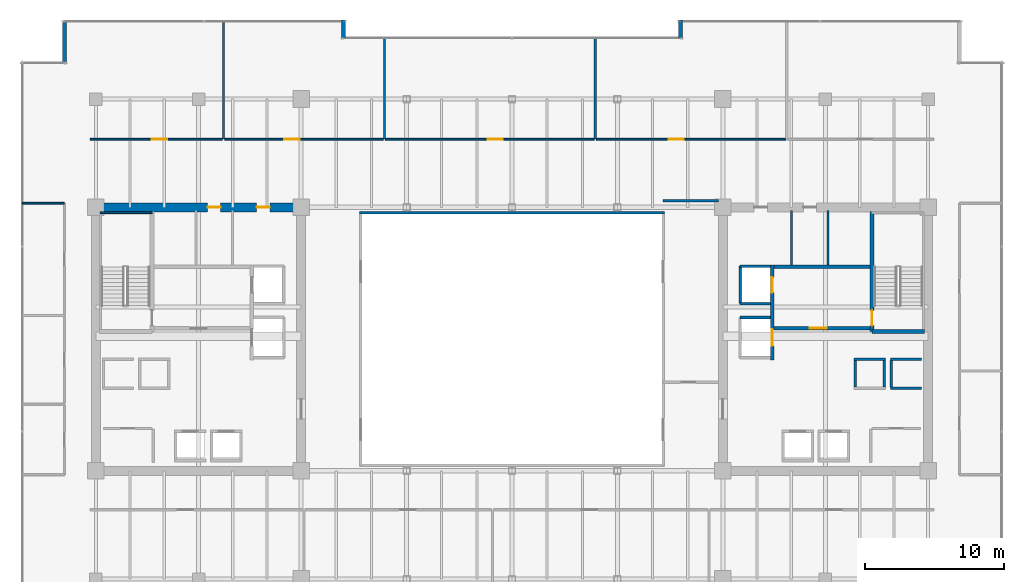
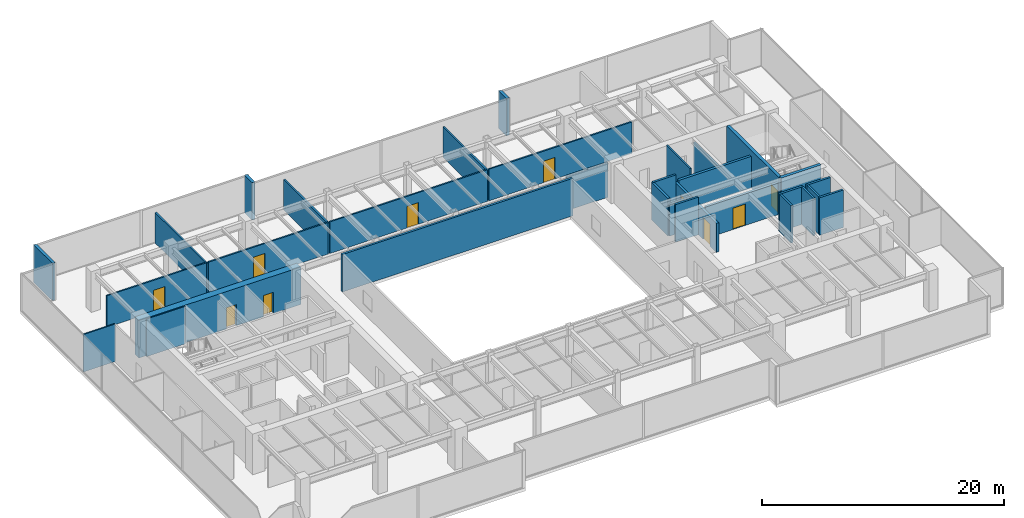
# One storey, part 27 of 31: 32 walls, 10 doors, 10 openings.
"""IFC4 building model written with IfcOpenShell, lengths in metres."""

from ifc_helpers import new_model, si_unit, direction, frame, frame_2d, origin, place, context, subcontext, project, spatial, rectangle, extrude, source, transform, mapped, material, layer, layer_set, type_object, type_shapes, element, fill, save


model = new_model("IFC4")

# Units and contexts
model_context = context("Model", 3, precision=1e-05, world=origin(), true_north=direction((0.0, 1.0)))
body_context = subcontext(model_context, "Body", "Model", "MODEL_VIEW")
ifc_project = project(units=[si_unit("LENGTHUNIT", "METRE"), si_unit("AREAUNIT", "SQUARE_METRE"), si_unit("VOLUMEUNIT", "CUBIC_METRE"), si_unit("PLANEANGLEUNIT", "RADIAN"), si_unit("MASSUNIT", "GRAM", prefix="KILO")], contexts=[model_context])

# Site, building, storey
site_placement = place(None, origin())
site = spatial("IfcSite", under=ifc_project, at=site_placement, CompositionType="ELEMENT")
building_placement = place(site_placement, origin())
building = spatial("IfcBuilding", under=site, at=building_placement, Name="Haelvirn Gate Laboratories", CompositionType="ELEMENT")
storey_placement = place(building_placement, frame((0.0, 0.0, 174.800048828125)))
storey = spatial("IfcBuildingStorey", under=building, at=storey_placement, Name="L42", CompositionType="ELEMENT", Elevation=174.800048828125)

# Walls
ifc_material_1 = material(Name="Thermally-broken bronze aluminium rainscreen & mineral wool", Category="aluminium")
ifc_layer_1 = layer(ifc_material_1, 0.280029296875, Name="EW-TERR-280")
ifc_layer_set_1 = layer_set([ifc_layer_1], Name="Thermally-broken bronze aluminium rainscreen & mineral wool")
wall_type_1 = type_object("IfcWallType", Name="EW-TERR-280", PredefinedType="STANDARD", material=ifc_layer_set_1)
for number, where, z_axis, x_axis, name in (
    (1, (49.5400390625, 47.300048828125, 0.0), (0.0, 0.0, 1.0), (0.0, -1.0, 0.0), "L42 Atrium Recess Bronze Return Wall 11"),
    (2, (25.260009765625, 46.011962890625, 0.0), (0.0, 0.0, 1.0), (0.0, 1.0, 0.0), "L42 Atrium Recess Bronze Return Wall 13"),
):
    element("IfcWall", number, at=place(storey_placement, frame(where, z_axis=z_axis, x_axis=x_axis)), inside=storey, type_object=wall_type_1, Name=name, PredefinedType="STANDARD", context=body_context, shape_type="SweptSolid", body=[
        extrude(rectangle(XDim=1.2880859375, YDim=0.280029296875, at=frame_2d((0.64404296875, 0.0))), origin(), (0.0, 0.0, 1.0), 3.7900390625),
    ])
wall_1_placement = place(storey_placement, frame((5.139892578125, 47.300048828125, 0.0), z_axis=(0.0, 0.0, 1.0), x_axis=(0.0, -1.0, 0.0)))
element("IfcWall", 3, at=wall_1_placement, inside=storey, type_object=wall_type_1, Name="L42 Atrium Recess Bronze Return Wall 15", PredefinedType="STANDARD", context=body_context, shape_type="SweptSolid", body=[
    extrude(rectangle(XDim=3.088134765625, YDim=0.280029296875, at=frame_2d((1.5439453125, 0.0))), origin(), (0.0, 0.0, 1.0), 3.7900390625),
])
ifc_material_2 = material(Name="Double-layer acoustic gypsum laboratory partition", Category="gypsum")
ifc_layer_2 = layer(ifc_material_2, 0.159912109375, Name="IW-ACOUST-160")
ifc_layer_set_2 = layer_set([ifc_layer_2], Name="Double-layer acoustic gypsum laboratory partition")
wall_type_2 = type_object("IfcWallType", Name="IW-ACOUST-160", PredefinedType="PARTITIONING", material=ifc_layer_set_2)
wall_2_placement = place(storey_placement, frame((16.60009765625, 38.705078125, 0.0), z_axis=(0.0, 0.0, 1.0), x_axis=(0.0, 1.0, 0.0)))
element("IfcWall", 4, at=wall_2_placement, inside=storey, type_object=wall_type_2, Name="L42 Interior Wall IW-L42-NDIV-01", PredefinedType="PARTITIONING", context=body_context, shape_type="SweptSolid", body=[
    extrude(rectangle(XDim=8.48486328125, YDim=0.159912109375, at=frame_2d((4.242431640625, 0.0))), origin(), (0.0, 0.0, 1.0), 3.074951171875),
])
for number, where, z_axis, x_axis, name in (
    (5, (28.199951171875, 38.705078125, 0.0), (0.0, 0.0, 1.0), (0.0, 1.0, 0.0), "L42 Interior Wall IW-L42-NDIV-02"),
    (6, (43.39990234375, 38.705078125, 0.0), (0.0, 0.0, 1.0), (0.0, 1.0, 0.0), "L42 Interior Wall IW-L42-NDIV-03"),
):
    element("IfcWall", number, at=place(storey_placement, frame(where, z_axis=z_axis, x_axis=x_axis)), inside=storey, type_object=wall_type_2, Name=name, PredefinedType="PARTITIONING", context=body_context, shape_type="SweptSolid", body=[
        extrude(rectangle(XDim=7.284912109375, YDim=0.159912109375, at=frame_2d((3.642578125, 0.0))), origin(), (0.0, 0.0, 1.0), 3.074951171875),
    ])
ifc_material_3 = material(Name="Fire-rated acoustic gypsum board partition", Category="gypsum")
ifc_layer_3 = layer(ifc_material_3, 0.175048828125, Name="IW-ACOUST-180")
ifc_layer_set_3 = layer_set([ifc_layer_3], Name="Fire-rated acoustic gypsum board partition")
wall_type_3 = type_object("IfcWallType", Name="IW-ACOUST-180", PredefinedType="PARTITIONING", material=ifc_layer_set_3)
wall_3_placement = place(storey_placement, frame((48.300048828125, 34.260009765625, 0.0), z_axis=(0.0, 0.0, 1.0), x_axis=(1.0, 0.0, 0.0)))
element("IfcWall", 7, at=wall_3_placement, inside=storey, type_object=wall_type_3, Name="L42 Interior Wall IW-L42-ASEM-N", PredefinedType="PARTITIONING", context=body_context, shape_type="SweptSolid", body=[
    extrude(rectangle(XDim=3.974853515625, YDim=0.175048828125, at=frame_2d((1.9873046875, 0.0))), origin(), (0.0, 0.0, 1.0), 3.474853515625),
])
ifc_material_4 = material(Name="Tempered fire-rated borosilicate glass & anodised aluminium", Category="aluminium")
ifc_layer_4 = layer(ifc_material_4, 0.195068359375, Name="IW-GLAZ-200")
ifc_layer_set_4 = layer_set([ifc_layer_4], Name="Tempered fire-rated borosilicate glass & anodised aluminium")
wall_type_4 = type_object("IfcWallType", Name="IW-GLAZ-200", PredefinedType="SOLIDWALL", material=ifc_layer_set_4)
wall_4_placement = place(storey_placement, frame((26.39990234375, 33.39990234375, 0.0), z_axis=(0.0, 0.0, 1.0), x_axis=(1.0, 0.0, 0.0)))
element("IfcWall", 8, at=wall_4_placement, inside=storey, type_object=wall_type_4, Name="L42 Interior Wall IW-L42-ATRIUM-N", PredefinedType="SOLIDWALL", context=body_context, shape_type="SweptSolid", body=[
    extrude(rectangle(XDim=22.0, YDim=0.195068359375, at=frame_2d((11.0, 0.0))), origin(), (0.0, 0.0, 1.0), 3.7900390625),
])
ifc_material_5 = material(Name="Lightweight acoustic gypsum board partition", Category="gypsum")
ifc_layer_5 = layer(ifc_material_5, 0.1201171875, Name="IW-PART-120")
ifc_layer_set_5 = layer_set([ifc_layer_5], Name="Lightweight acoustic gypsum board partition")
wall_type_5 = type_object("IfcWallType", Name="IW-PART-120", PredefinedType="PARTITIONING", material=ifc_layer_set_5)
wall_5_placement = place(storey_placement, frame((2.110107421875, 34.0849609375, 0.0), z_axis=(0.0, 0.0, 1.0), x_axis=(1.0, 0.0, 0.0)))
element("IfcWall", 9, at=wall_5_placement, inside=storey, type_object=wall_type_5, Name="L42 Interior Wall IW-L42-WCAP-N", PredefinedType="PARTITIONING", context=body_context, shape_type="SweptSolid", body=[
    extrude(rectangle(XDim=3.019775390625, YDim=0.1201171875, at=frame_2d((1.509765625, 0.0))), origin(), (0.0, 0.0, 1.0), 3.7900390625),
])

# Wall, opening, door
ifc_material_6 = material(Name="Acoustic mineral-wool gypsum board partition", Category="gypsum")
ifc_layer_6 = layer(ifc_material_6, 0.139892578125, Name="IW-PART-140")
ifc_layer_set_6 = layer_set([ifc_layer_6], Name="Acoustic mineral-wool gypsum board partition")
wall_type_6 = type_object("IfcWallType", Name="IW-PART-140", PredefinedType="PARTITIONING", material=ifc_layer_set_6)
wall_6_placement = place(storey_placement, frame((6.97998046875, 38.705078125, 0.0), z_axis=(0.0, 0.0, 1.0), x_axis=(1.0, 0.0, 0.0)))
wall_6 = element("IfcWall", 10, at=wall_6_placement, inside=storey, type_object=wall_type_6, Name="L42 Interior Wall IW-L42-NCORR-01", PredefinedType="PARTITIONING", context=body_context, shape_type="SweptSolid", body=[
    extrude(rectangle(XDim=9.5400390625, YDim=0.139892578125, at=frame_2d((4.77001953125, 0.0))), origin(), (0.0, 0.0, 1.0), 3.18701171875),
])
opening_1_placement = place(wall_6_placement, frame((4.4521484375, 0.0, 0.0)))
opening_1 = element("IfcOpeningElement", 11, at=opening_1_placement, cuts=wall_6, Name="Opening D1", PredefinedType="OPENING", context=body_context, shape_type="SweptSolid", body=[
    extrude(rectangle(XDim=1.10009765625, YDim=2.179931640625, at=frame_2d((0.550048828125, 1.08984375))), frame((0.0, 0.080078125, 0.0), z_axis=(0.0, -1.0, 0.0), x_axis=(1.0, 0.0, 0.0)), (0.0, 0.0, 1.0), 0.159912109375),
])
ifc_material_7 = material(Name="Vision-panel acoustic solid-core timber lab door", Category="wood")
door_type_1 = type_object("IfcDoorType", Name="DR-LAB-1100", OperationType="NOTDEFINED", PredefinedType="DOOR", material=ifc_material_7)
shared_shape_1 = source(origin(), body_context, "Body", "SweptSolid", [
    extrude(rectangle(XDim=1.10009765625, YDim=2.179931640625, at=frame_2d((0.550048828125, 1.08984375))), frame((0.0, 0.02490234375, 0.0), z_axis=(0.0, -1.0, 0.0), x_axis=(1.0, 0.0, 0.0)), (0.0, 0.0, 1.0), 0.050048828125),
])
type_shapes(door_type_1, [shared_shape_1])
door_1_placement = place(opening_1_placement, origin())
door_1 = element("IfcDoor", 12, at=door_1_placement, inside=storey, type_object=door_type_1, Name="L42 Researcher Break Pantry Door N1", OperationType="SINGLE_SWING_RIGHT", OverallHeight=2.179931640625, OverallWidth=1.10009765625, PredefinedType="DOOR", context=body_context, shape_type="MappedRepresentation", body=[
    mapped(shared_shape_1, transform((0.0, 0.0, 0.0), scale=1.0)),
])
fill(opening_1, door_1)

wall_7_placement = place(storey_placement, frame((16.679931640625, 38.705078125, 0.0), z_axis=(0.0, 0.0, 1.0), x_axis=(1.0, 0.0, 0.0)))
wall_7 = element("IfcWall", 13, at=wall_7_placement, inside=storey, type_object=wall_type_6, Name="L42 Interior Wall IW-L42-NCORR-02", PredefinedType="PARTITIONING", context=body_context, shape_type="SweptSolid", body=[
    extrude(rectangle(XDim=11.440185546875, YDim=0.139892578125, at=frame_2d((5.72021484375, 0.0))), origin(), (0.0, 0.0, 1.0), 3.18701171875),
])
opening_2_placement = place(wall_7_placement, frame((4.302490234375, 0.0, 0.0)))
opening_2 = element("IfcOpeningElement", 14, at=opening_2_placement, cuts=wall_7, Name="Opening D1", PredefinedType="OPENING", context=body_context, shape_type="SweptSolid", body=[
    extrude(rectangle(XDim=1.10009765625, YDim=2.179931640625, at=frame_2d((0.550048828125, 1.08984375))), frame((0.0, 0.080078125, 0.0), z_axis=(0.0, -1.0, 0.0), x_axis=(1.0, 0.0, 0.0)), (0.0, 0.0, 1.0), 0.159912109375),
])
door_2_placement = place(opening_2_placement, origin())
door_2 = element("IfcDoor", 15, at=door_2_placement, inside=storey, type_object=door_type_1, Name="L42 Floor Hydration & Tea Servery Door N2", OperationType="SINGLE_SWING_LEFT", OverallHeight=2.179931640625, OverallWidth=1.10009765625, PredefinedType="DOOR", context=body_context, shape_type="MappedRepresentation", body=[
    mapped(shared_shape_1, transform((0.0, 0.0, 0.0), scale=1.0)),
])
fill(opening_2, door_2)

wall_8_placement = place(storey_placement, frame((28.280029296875, 38.705078125, 0.0), z_axis=(0.0, 0.0, 1.0), x_axis=(1.0, 0.0, 0.0)))
wall_8 = element("IfcWall", 16, at=wall_8_placement, inside=storey, type_object=wall_type_6, Name="L42 Interior Wall IW-L42-NCORR-03", PredefinedType="PARTITIONING", context=body_context, shape_type="SweptSolid", body=[
    extrude(rectangle(XDim=15.0400390625, YDim=0.139892578125, at=frame_2d((7.52001953125, 0.0))), origin(), (0.0, 0.0, 1.0), 3.18701171875),
])
opening_3_placement = place(wall_8_placement, frame((7.3671875, 0.0, 0.0)))
opening_3 = element("IfcOpeningElement", 17, at=opening_3_placement, cuts=wall_8, Name="Opening D1", PredefinedType="OPENING", context=body_context, shape_type="SweptSolid", body=[
    extrude(rectangle(XDim=1.10009765625, YDim=2.179931640625, at=frame_2d((0.550048828125, 1.08984375))), frame((0.0, 0.080078125, 0.0), z_axis=(0.0, -1.0, 0.0), x_axis=(1.0, 0.0, 0.0)), (0.0, 0.0, 1.0), 0.159912109375),
])
door_3_placement = place(opening_3_placement, origin())
door_3 = element("IfcDoor", 18, at=door_3_placement, inside=storey, type_object=door_type_1, Name="L42 Bioinformatics Dry-Lab Workspace Door N3", OperationType="SINGLE_SWING_RIGHT", OverallHeight=2.179931640625, OverallWidth=1.10009765625, PredefinedType="DOOR", context=body_context, shape_type="MappedRepresentation", body=[
    mapped(shared_shape_1, transform((0.0, 0.0, 0.0), scale=1.0)),
])
fill(opening_3, door_3)

wall_9_placement = place(storey_placement, frame((43.47998046875, 38.705078125, 0.0), z_axis=(0.0, 0.0, 1.0), x_axis=(1.0, 0.0, 0.0)))
wall_9 = element("IfcWall", 19, at=wall_9_placement, inside=storey, type_object=wall_type_6, Name="L42 Interior Wall IW-L42-NCORR-04", PredefinedType="PARTITIONING", context=body_context, shape_type="SweptSolid", body=[
    extrude(rectangle(XDim=13.64013671875, YDim=0.139892578125, at=frame_2d((6.820068359375, 0.0))), origin(), (0.0, 0.0, 1.0), 3.18701171875),
])
opening_4_placement = place(wall_9_placement, frame((5.204345703125, 0.0, 0.0)))
opening_4 = element("IfcOpeningElement", 20, at=opening_4_placement, cuts=wall_9, Name="Opening D1", PredefinedType="OPENING", context=body_context, shape_type="SweptSolid", body=[
    extrude(rectangle(XDim=1.10009765625, YDim=2.179931640625, at=frame_2d((0.550048828125, 1.08984375))), frame((0.0, 0.080078125, 0.0), z_axis=(0.0, -1.0, 0.0), x_axis=(1.0, 0.0, 0.0)), (0.0, 0.0, 1.0), 0.159912109375),
])
door_4_placement = place(opening_4_placement, origin())
door_4 = element("IfcDoor", 21, at=door_4_placement, inside=storey, type_object=door_type_1, Name="L42 Translational Data Office Door N4", OperationType="SINGLE_SWING_LEFT", OverallHeight=2.179931640625, OverallWidth=1.10009765625, PredefinedType="DOOR", context=body_context, shape_type="MappedRepresentation", body=[
    mapped(shared_shape_1, transform((0.0, 0.0, 0.0), scale=1.0)),
])
fill(opening_4, door_4)

# Walls
ifc_material_8 = material(Name="Cement-board restroom plumbing chase wall", Category="gypsum")
ifc_layer_7 = layer(ifc_material_8, 0.155029296875, Name="IW-PLUMB-160")
ifc_layer_set_7 = layer_set([ifc_layer_7], Name="Cement-board restroom plumbing chase wall")
wall_type_7 = type_object("IfcWallType", Name="IW-PLUMB-160", PredefinedType="PLUMBINGWALL", material=ifc_layer_set_7)
wall_10_placement = place(storey_placement, frame((60.18994140625, 29.64990234375, 0.0), z_axis=(0.0, 0.0, 1.0), x_axis=(0.0, 1.0, 0.0)))
element("IfcWall", 22, at=wall_10_placement, inside=storey, type_object=wall_type_7, Name="L42 Interior Wall IW-L42-E-CDIV-0", PredefinedType="PLUMBINGWALL", context=body_context, shape_type="SweptSolid", body=[
    extrude(rectangle(XDim=3.93017578125, YDim=0.155029296875, at=frame_2d((1.965087890625, 0.0))), origin(), (0.0, 0.0, 1.0), 3.18701171875),
])
wall_11_placement = place(storey_placement, frame((57.56005859375, 29.64990234375, 0.0), z_axis=(0.0, 0.0, 1.0), x_axis=(0.0, 1.0, 0.0)))
element("IfcWall", 23, at=wall_11_placement, inside=storey, type_object=wall_type_7, Name="L42 Interior Wall IW-L42-E-CDIV-1", PredefinedType="PLUMBINGWALL", context=body_context, shape_type="SweptSolid", body=[
    extrude(rectangle(XDim=3.93017578125, YDim=0.155029296875, at=frame_2d((1.965087890625, 0.0))), origin(), (0.0, 0.0, 1.0), 3.7900390625),
])
ifc_material_9 = material(Name="Concrete C40/50", Category="concrete")
ifc_layer_8 = layer(ifc_material_9, 0.179931640625, Name="IW-SHAFT-180")
ifc_layer_set_8 = layer_set([ifc_layer_8], Name="Concrete C40/50")
wall_type_8 = type_object("IfcWallType", Name="IW-SHAFT-180", PredefinedType="SOLIDWALL", material=ifc_layer_set_8)
for number, where, z_axis, x_axis, name in (
    (24, (64.75, 20.85009765625, 0.0), (0.0, 0.0, 1.0), (0.0, 1.0, 0.0), "L42 Interior Wall IW-L42-PL11-SD"),
    (25, (62.14990234375, 20.85009765625, 0.0), (0.0, 0.0, 1.0), (0.0, 1.0, 0.0), "L42 Interior Wall IW-L42-PL12-SD"),
    (26, (64.25, 20.85009765625, 0.0), (0.0, 0.0, 1.0), (0.0, 1.0, 0.0), "L42 Interior Wall IW-L42-PL12-SDE"),
):
    element("IfcWall", number, at=place(storey_placement, frame(where, z_axis=z_axis, x_axis=x_axis)), inside=storey, type_object=wall_type_8, Name=name, PredefinedType="SOLIDWALL", context=body_context, shape_type="SweptSolid", body=[
        extrude(rectangle(XDim=1.89990234375, YDim=0.179931640625, at=frame_2d((0.949951171875, 0.0))), origin(), (0.0, 0.0, 1.0), 3.7900390625),
    ])
ifc_layer_9 = layer(ifc_material_9, 0.199951171875, Name="IW-SHAFT-200")
ifc_layer_set_9 = layer_set([ifc_layer_9], Name="Concrete C40/50")
wall_type_9 = type_object("IfcWallType", Name="IW-SHAFT-200", PredefinedType="SOLIDWALL", material=ifc_layer_set_9)
for number, where, z_axis, x_axis, name in (
    (27, (64.669921875, 20.75, 0.0), (0.0, 0.0, 1.0), (1.0, 0.0, 0.0), "L42 Interior Wall IW-L42-PL11-FR"),
    (28, (64.669921875, 22.85009765625, 0.0), (0.0, 0.0, 1.0), (1.0, 0.0, 0.0), "L42 Interior Wall IW-L42-PL11-BK"),
    (29, (62.070068359375, 22.85009765625, 0.0), (0.0, 0.0, 1.0), (1.0, 0.0, 0.0), "L42 Interior Wall IW-L42-PL12-BK"),
):
    element("IfcWall", number, at=place(storey_placement, frame(where, z_axis=z_axis, x_axis=x_axis)), inside=storey, type_object=wall_type_9, Name=name, PredefinedType="SOLIDWALL", context=body_context, shape_type="SweptSolid", body=[
        extrude(rectangle(XDim=2.260009765625, YDim=0.199951171875, at=frame_2d((1.1298828125, 0.0))), origin(), (0.0, 0.0, 1.0), 3.7900390625),
    ])
wall_12_placement = place(storey_placement, frame((53.85009765625, 26.85009765625, 0.0), z_axis=(0.0, 0.0, 1.0), x_axis=(0.0, 1.0, 0.0)))
element("IfcWall", 30, at=wall_12_placement, inside=storey, type_object=wall_type_9, Name="L42 Interior Wall IW-L42-FL2-BK", PredefinedType="SOLIDWALL", context=body_context, shape_type="SweptSolid", body=[
    extrude(rectangle(XDim=2.699951171875, YDim=0.199951171875, at=frame_2d((1.35009765625, 0.0))), origin(), (0.0, 0.0, 1.0), 3.7900390625),
])
wall_13_placement = place(storey_placement, frame((53.85009765625, 29.550048828125, 0.0), z_axis=(0.0, 0.0, 1.0), x_axis=(1.0, 0.0, 0.0)))
element("IfcWall", 31, at=wall_13_placement, inside=storey, type_object=wall_type_9, Name="L42 Interior Wall IW-L42-FL2-N", PredefinedType="SOLIDWALL", context=body_context, shape_type="SweptSolid", body=[
    extrude(rectangle(XDim=2.18994140625, YDim=0.199951171875, at=frame_2d((1.094970703125, 0.0))), origin(), (0.0, 0.0, 1.0), 3.7900390625),
])
wall_14_placement = place(storey_placement, frame((53.85009765625, 26.85009765625, 0.0), z_axis=(0.0, 0.0, 1.0), x_axis=(1.0, 0.0, 0.0)))
element("IfcWall", 32, at=wall_14_placement, inside=storey, type_object=wall_type_9, Name="L42 Interior Wall IW-L42-FL2-S", PredefinedType="SOLIDWALL", context=body_context, shape_type="SweptSolid", body=[
    extrude(rectangle(XDim=2.18994140625, YDim=0.199951171875, at=frame_2d((1.094970703125, 0.0))), origin(), (0.0, 0.0, 1.0), 3.18701171875),
])
wall_15_placement = place(storey_placement, frame((53.85009765625, 25.85009765625, 0.0), z_axis=(0.0, 0.0, 1.0), x_axis=(1.0, 0.0, 0.0)))
element("IfcWall", 33, at=wall_15_placement, inside=storey, type_object=wall_type_9, Name="L42 Interior Wall IW-L42-SL2-N", PredefinedType="SOLIDWALL", context=body_context, shape_type="SweptSolid", body=[
    extrude(rectangle(XDim=2.18994140625, YDim=0.199951171875, at=frame_2d((1.094970703125, 0.0))), origin(), (0.0, 0.0, 1.0), 3.7900390625),
])

# Wall, opening, door
ifc_layer_10 = layer(ifc_material_9, 0.239990234375, Name="IW-SHAFT-240")
ifc_layer_set_10 = layer_set([ifc_layer_10], Name="Concrete C40/50")
wall_type_10 = type_object("IfcWallType", Name="IW-SHAFT-240", PredefinedType="SOLIDWALL", material=ifc_layer_set_10)
wall_16_placement = place(storey_placement, frame((56.280029296875, 25.080078125, 0.0), z_axis=(0.0, 0.0, 1.0), x_axis=(1.0, 0.0, 0.0)))
wall_16 = element("IfcWall", 34, at=wall_16_placement, inside=storey, type_object=wall_type_10, Name="L42 Interior Wall IW-L42-E-FF-S", PredefinedType="SOLIDWALL", context=body_context, shape_type="SweptSolid", body=[
    extrude(rectangle(XDim=6.919921875, YDim=0.239990234375, at=frame_2d((3.4599609375, 0.0))), origin(), (0.0, 0.0, 1.0), 3.18701171875),
])
opening_5_placement = place(wall_16_placement, frame((2.60009765625, 0.0, 0.0)))
opening_5 = element("IfcOpeningElement", 35, at=opening_5_placement, cuts=wall_16, Name="Opening FD2", PredefinedType="OPENING", context=body_context, shape_type="SweptSolid", body=[
    extrude(rectangle(XDim=1.199951171875, YDim=2.159912109375, at=frame_2d((0.60009765625, 1.080078125))), frame((0.0, 0.1298828125, 0.0), z_axis=(0.0, -1.0, 0.0), x_axis=(1.0, 0.0, 0.0)), (0.0, 0.0, 1.0), 0.260009765625),
])
ifc_material_10 = material(Name="Fire-rated steel SM355 compartment door", Category="steel")
door_type_2 = type_object("IfcDoorType", Name="DR-FD-1200", OperationType="NOTDEFINED", PredefinedType="DOOR", material=ifc_material_10)
shared_shape_2 = source(origin(), body_context, "Body", "SweptSolid", [
    extrude(rectangle(XDim=1.199951171875, YDim=2.159912109375, at=frame_2d((0.60009765625, 1.080078125))), frame((0.0, 0.02490234375, 0.0), z_axis=(0.0, -1.0, 0.0), x_axis=(1.0, 0.0, 0.0)), (0.0, 0.0, 1.0), 0.050048828125),
])
type_shapes(door_type_2, [shared_shape_2])
door_5_placement = place(opening_5_placement, origin())
door_5 = element("IfcDoor", 36, at=door_5_placement, inside=storey, type_object=door_type_2, Name="L42 East Firefighting Lobby Door", OperationType="SINGLE_SWING_LEFT", OverallHeight=2.159912109375, OverallWidth=1.199951171875, PredefinedType="DOOR", context=body_context, shape_type="MappedRepresentation", body=[
    mapped(shared_shape_2, transform((0.0, 0.0, 0.0), scale=1.0)),
])
fill(opening_5, door_5)

# Wall
wall_17_placement = place(storey_placement, frame((56.280029296875, 29.52001953125, 0.0), z_axis=(0.0, 0.0, 1.0), x_axis=(1.0, 0.0, 0.0)))
element("IfcWall", 37, at=wall_17_placement, inside=storey, type_object=wall_type_10, Name="L42 Interior Wall IW-L42-E-FF-N", PredefinedType="SOLIDWALL", context=body_context, shape_type="SweptSolid", body=[
    extrude(rectangle(XDim=6.919921875, YDim=0.239990234375, at=frame_2d((3.4599609375, 0.0))), origin(), (0.0, 0.0, 1.0), 3.18701171875),
])

# Wall, openings, doors
wall_18_placement = place(storey_placement, frame((56.159912109375, 22.800048828125, 0.0), z_axis=(0.0, 0.0, 1.0), x_axis=(0.0, 1.0, 0.0)))
wall_18 = element("IfcWall", 38, at=wall_18_placement, inside=storey, type_object=wall_type_10, Name="L42 Interior Wall IW-L42-E-FF-E", PredefinedType="SOLIDWALL", context=body_context, shape_type="SweptSolid", body=[
    extrude(rectangle(XDim=6.849853515625, YDim=0.239990234375, at=frame_2d((3.4248046875, 0.0))), origin(), (0.0, 0.0, 1.0), 2.925048828125),
])
opening_6_placement = place(wall_18_placement, frame((4.85009765625, 0.0, 0.0)))
opening_6 = element("IfcOpeningElement", 39, at=opening_6_placement, cuts=wall_18, Name="Opening LD2", PredefinedType="OPENING", context=body_context, shape_type="SweptSolid", body=[
    extrude(rectangle(XDim=1.10009765625, YDim=2.219970703125, at=frame_2d((0.550048828125, 1.10986328125))), frame((0.0, 0.1298828125, 0.0), z_axis=(0.0, -1.0, 0.0), x_axis=(1.0, 0.0, 0.0)), (0.0, 0.0, 1.0), 0.260009765625),
])
opening_7_placement = place(wall_18_placement, frame((1.0, 0.0, 0.0)))
opening_7 = element("IfcOpeningElement", 40, at=opening_7_placement, cuts=wall_18, Name="Opening LD1", PredefinedType="OPENING", context=body_context, shape_type="SweptSolid", body=[
    extrude(rectangle(XDim=1.199951171875, YDim=2.219970703125, at=frame_2d((0.60009765625, 1.10986328125))), frame((0.0, 0.1298828125, 0.0), z_axis=(0.0, -1.0, 0.0), x_axis=(1.0, 0.0, 0.0)), (0.0, 0.0, 1.0), 0.260009765625),
])
ifc_material_11 = material(Name="Bronze stainless 316L sliding lift landing door")
door_type_3 = type_object("IfcDoorType", Name="DR-LD-1100", OperationType="NOTDEFINED", PredefinedType="USERDEFINED", material=ifc_material_11)
shared_shape_3 = source(origin(), body_context, "Body", "SweptSolid", [
    extrude(rectangle(XDim=1.10009765625, YDim=2.219970703125, at=frame_2d((0.550048828125, 1.10986328125))), frame((0.0, 0.02490234375, 0.0), z_axis=(0.0, -1.0, 0.0), x_axis=(1.0, 0.0, 0.0)), (0.0, 0.0, 1.0), 0.050048828125),
])
type_shapes(door_type_3, [shared_shape_3])
door_6_placement = place(opening_6_placement, origin())
door_6 = element("IfcDoor", 41, at=door_6_placement, inside=storey, type_object=door_type_3, Name="L42 Firefighting Lift FL2 Landing Door", ObjectType="LANDING_DOOR", OperationType="SLIDING_TO_RIGHT", OverallHeight=2.219970703125, OverallWidth=1.10009765625, PredefinedType="USERDEFINED", context=body_context, shape_type="MappedRepresentation", body=[
    mapped(shared_shape_3, transform((0.0, 0.0, 0.0), scale=1.0)),
])
fill(opening_6, door_6)
ifc_material_12 = material(Name="Stainless steel 316L sliding goods landing door", Category="steel")
door_type_4 = type_object("IfcDoorType", Name="DR-LD-1200", OperationType="NOTDEFINED", PredefinedType="USERDEFINED", material=ifc_material_12)
shared_shape_4 = source(origin(), body_context, "Body", "SweptSolid", [
    extrude(rectangle(XDim=1.199951171875, YDim=2.219970703125, at=frame_2d((0.60009765625, 1.10986328125))), frame((0.0, 0.02490234375, 0.0), z_axis=(0.0, -1.0, 0.0), x_axis=(1.0, 0.0, 0.0)), (0.0, 0.0, 1.0), 0.050048828125),
])
type_shapes(door_type_4, [shared_shape_4])
door_7_placement = place(opening_7_placement, origin())
door_7 = element("IfcDoor", 42, at=door_7_placement, inside=storey, type_object=door_type_4, Name="L42 Service Lift SL2 Landing Door", ObjectType="LANDING_DOOR", OperationType="SLIDING_TO_LEFT", OverallHeight=2.219970703125, OverallWidth=1.199951171875, PredefinedType="USERDEFINED", context=body_context, shape_type="MappedRepresentation", body=[
    mapped(shared_shape_4, transform((0.0, 0.0, 0.0), scale=1.0)),
])
fill(opening_7, door_7)

ifc_material_13 = material(Name="Concrete C60/75", Category="concrete")
ifc_layer_11 = layer(ifc_material_13, 0.64990234375, Name="SW-CORE-650")
ifc_layer_set_11 = layer_set([ifc_layer_11], Name="Concrete C60/75")
wall_type_11 = type_object("IfcWallType", Name="SW-CORE-650", PredefinedType="SHEAR", material=ifc_layer_set_11)
wall_19_placement = place(storey_placement, frame((7.074951171875, 33.800048828125, 0.0), z_axis=(0.0, 0.0, 1.0), x_axis=(1.0, 0.0, 0.0)))
wall_19 = element("IfcWall", 43, at=wall_19_placement, inside=storey, type_object=wall_type_11, Name="L42 W Core Shear Wall N", PredefinedType="SHEAR", context=body_context, shape_type="SweptSolid", body=[
    extrude(rectangle(XDim=15.449951171875, YDim=0.64990234375, at=frame_2d((7.72509765625, 0.0))), origin(), (0.0, 0.0, 1.0), 3.7900390625),
])
opening_8_placement = place(wall_19_placement, frame((8.375, 0.0, 0.0)))
opening_8 = element("IfcOpeningElement", 44, at=opening_8_placement, cuts=wall_19, Name="Opening FD4", PredefinedType="OPENING", context=body_context, shape_type="SweptSolid", body=[
    extrude(rectangle(XDim=0.949951171875, YDim=2.14990234375, at=frame_2d((0.47509765625, 1.074951171875))), frame((0.0, 0.3349609375, 0.0), z_axis=(0.0, -1.0, 0.0), x_axis=(1.0, 0.0, 0.0)), (0.0, 0.0, 1.0), 0.669921875),
])
opening_9_placement = place(wall_19_placement, frame((11.9150390625, 0.0, 0.0)))
opening_9 = element("IfcOpeningElement", 45, at=opening_9_placement, cuts=wall_19, Name="Opening FD4", PredefinedType="OPENING", context=body_context, shape_type="SweptSolid", body=[
    extrude(rectangle(XDim=0.949951171875, YDim=2.14990234375, at=frame_2d((0.47509765625, 1.074951171875))), frame((0.0, 0.3349609375, 0.0), z_axis=(0.0, -1.0, 0.0), x_axis=(1.0, 0.0, 0.0)), (0.0, 0.0, 1.0), 0.669921875),
])
ifc_material_14 = material(Name="Fire-rated steel SM355 core service door", Category="steel")
door_type_5 = type_object("IfcDoorType", Name="DR-FD-950", OperationType="NOTDEFINED", PredefinedType="DOOR", material=ifc_material_14)
shared_shape_5 = source(origin(), body_context, "Body", "SweptSolid", [
    extrude(rectangle(XDim=0.949951171875, YDim=2.14990234375, at=frame_2d((0.47509765625, 1.074951171875))), frame((0.0, 0.02490234375, 0.0), z_axis=(0.0, -1.0, 0.0), x_axis=(1.0, 0.0, 0.0)), (0.0, 0.0, 1.0), 0.050048828125),
])
type_shapes(door_type_5, [shared_shape_5])
door_8_placement = place(opening_8_placement, origin())
door_8 = element("IfcDoor", 46, at=door_8_placement, inside=storey, type_object=door_type_5, Name="L42 Accessible Restroom Fire Door", OperationType="SINGLE_SWING_LEFT", OverallHeight=2.14990234375, OverallWidth=0.949951171875, PredefinedType="DOOR", context=body_context, shape_type="MappedRepresentation", body=[
    mapped(shared_shape_5, transform((0.0, 0.0, 0.0), scale=1.0)),
])
fill(opening_8, door_8)
door_9_placement = place(opening_9_placement, origin())
door_9 = element("IfcDoor", 47, at=door_9_placement, inside=storey, type_object=door_type_5, Name="L42 Staff Restroom Fire Door", OperationType="SINGLE_SWING_RIGHT", OverallHeight=2.14990234375, OverallWidth=0.949951171875, PredefinedType="DOOR", context=body_context, shape_type="MappedRepresentation", body=[
    mapped(shared_shape_5, transform((0.0, 0.0, 0.0), scale=1.0)),
])
fill(opening_9, door_9)

# Wall
ifc_material_15 = material(Name="Concrete C50/60", Category="concrete")
ifc_layer_12 = layer(ifc_material_15, 0.1201171875, Name="SW-LINER-120")
ifc_layer_set_12 = layer_set([ifc_layer_12], Name="Concrete C50/60")
wall_type_12 = type_object("IfcWallType", Name="SW-LINER-120", PredefinedType="SOLIDWALL", material=ifc_layer_set_12)
wall_20_placement = place(storey_placement, frame((7.72998046875, 33.39990234375, 0.0), z_axis=(0.0, 0.0, 1.0), x_axis=(1.0, 0.0, 0.0)))
element("IfcWall", 48, at=wall_20_placement, inside=storey, type_object=wall_type_12, Name="L42 W Core Stair Shaft Liner Wall N", PredefinedType="SOLIDWALL", context=body_context, shape_type="SweptSolid", body=[
    extrude(rectangle(XDim=3.719970703125, YDim=0.1201171875, at=frame_2d((1.85986328125, 0.0))), origin(), (0.0, 0.0, 1.0), 3.7900390625),
])

# Wall, opening, door
ifc_layer_13 = layer(ifc_material_15, 0.300048828125, Name="SW-STAIR-300")
ifc_layer_set_13 = layer_set([ifc_layer_13], Name="Concrete C50/60")
wall_type_13 = type_object("IfcWallType", Name="SW-STAIR-300", PredefinedType="SHEAR", material=ifc_layer_set_13)
wall_21_placement = place(storey_placement, frame((63.35009765625, 24.85009765625, 0.0), z_axis=(0.0, 0.0, 1.0), x_axis=(0.0, 1.0, 0.0)))
wall_21 = element("IfcWall", 49, at=wall_21_placement, inside=storey, type_object=wall_type_13, Name="L42 E Core Stair Shaft Structural Wall IN", PredefinedType="SHEAR", context=body_context, shape_type="SweptSolid", body=[
    extrude(rectangle(XDim=8.6298828125, YDim=0.300048828125, at=frame_2d((4.31494140625, 0.0))), origin(), (0.0, 0.0, 1.0), 3.7900390625),
])
opening_10_placement = place(wall_21_placement, frame((0.419921875, 0.0, 0.0)))
opening_10 = element("IfcOpeningElement", 50, at=opening_10_placement, cuts=wall_21, Name="Opening FD3", PredefinedType="OPENING", context=body_context, shape_type="SweptSolid", body=[
    extrude(rectangle(XDim=1.10009765625, YDim=2.14990234375, at=frame_2d((0.550048828125, 1.074951171875))), frame((0.0, 0.16015625, 0.0), z_axis=(0.0, -1.0, 0.0), x_axis=(1.0, 0.0, 0.0)), (0.0, 0.0, 1.0), 0.320068359375),
])
ifc_material_16 = material(Name="Fire-rated steel SM355 escape stair door", Category="steel")
door_type_6 = type_object("IfcDoorType", Name="DR-FD-1100", OperationType="NOTDEFINED", PredefinedType="DOOR", material=ifc_material_16)
shared_shape_6 = source(origin(), body_context, "Body", "SweptSolid", [
    extrude(rectangle(XDim=1.10009765625, YDim=2.14990234375, at=frame_2d((0.550048828125, 1.074951171875))), frame((0.0, 0.02490234375, 0.0), z_axis=(0.0, -1.0, 0.0), x_axis=(1.0, 0.0, 0.0)), (0.0, 0.0, 1.0), 0.050048828125),
])
type_shapes(door_type_6, [shared_shape_6])
door_10_placement = place(opening_10_placement, origin())
door_10 = element("IfcDoor", 51, at=door_10_placement, inside=storey, type_object=door_type_6, Name="L42 Escape Stair ST2 Fire Door", OperationType="SINGLE_SWING_RIGHT", OverallHeight=2.14990234375, OverallWidth=1.10009765625, PredefinedType="DOOR", context=body_context, shape_type="MappedRepresentation", body=[
    mapped(shared_shape_6, transform((0.0, 0.0, 0.0), scale=1.0)),
])
fill(opening_10, door_10)

# Wall
wall_22_placement = place(storey_placement, frame((63.35009765625, 24.85009765625, 0.0), z_axis=(0.0, 0.0, 1.0), x_axis=(1.0, 0.0, 0.0)))
element("IfcWall", 52, at=wall_22_placement, inside=storey, type_object=wall_type_13, Name="L42 E Core Stair Shaft Structural Wall S", PredefinedType="SHEAR", context=body_context, shape_type="SweptSolid", body=[
    extrude(rectangle(XDim=3.7998046875, YDim=0.300048828125, at=frame_2d((1.89990234375, 0.0))), origin(), (0.0, 0.0, 1.0), 3.7900390625),
])

save(model, "model.ifc")
